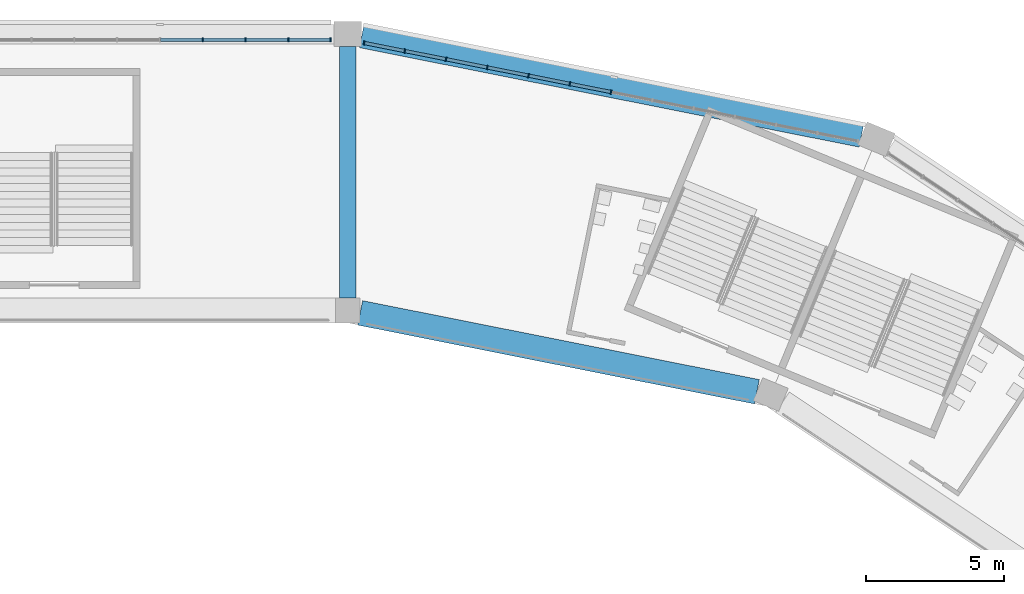
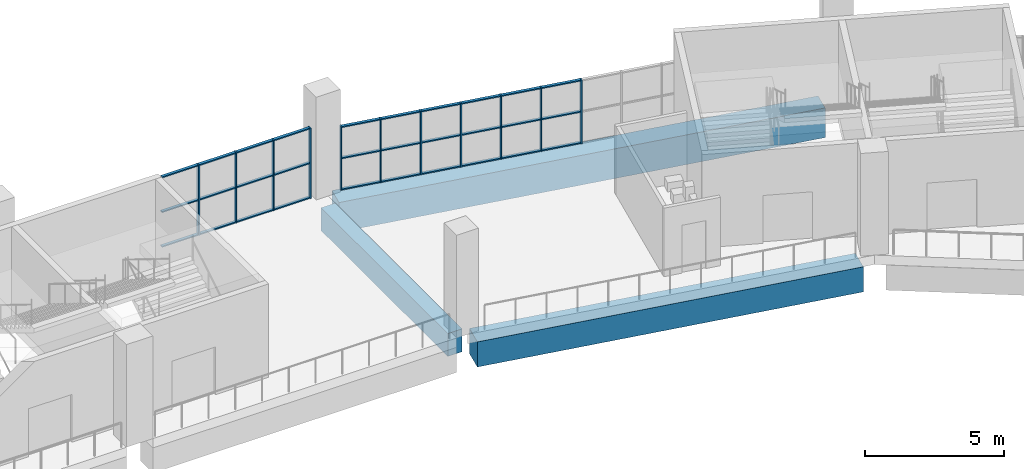
# One storey, part 35 of 177: 41 members, 3 beams, 2 elements without a shape of their own.
"""IFC4 building model written with IfcOpenShell, lengths in metres."""

from ifc_helpers import new_model, si_unit, direction, frame, origin, origin_2d, place, context, subcontext, project, spatial, rectangle, extrude, material, material_profile, profile_set, type_object, element, aggregate, save


model = new_model("IFC4")

# Units and contexts
model_context = context("Model", 3, precision=1e-05, world=origin(), true_north=direction((0.0, 1.0)))
body_context = subcontext(model_context, "Body", "Model", "MODEL_VIEW")
ifc_project = project(units=[si_unit("LENGTHUNIT", "METRE"), si_unit("AREAUNIT", "SQUARE_METRE"), si_unit("VOLUMEUNIT", "CUBIC_METRE"), si_unit("PLANEANGLEUNIT", "RADIAN"), si_unit("MASSUNIT", "GRAM", prefix="KILO")], contexts=[model_context])

# Site, building, storey
site_placement = place(None, origin())
site = spatial("IfcSite", under=ifc_project, at=site_placement, CompositionType="ELEMENT")
building_placement = place(site_placement, origin())
building = spatial("IfcBuilding", under=site, at=building_placement, Name="Ogive Plaza Stadium", CompositionType="ELEMENT")
storey_placement = place(building_placement, frame((0.0, 0.0, 18.0)))
storey = spatial("IfcBuildingStorey", under=building, at=storey_placement, Name="L04", CompositionType="ELEMENT", Elevation=18.0)

# Curtain wall, members
ifc_material_1 = material(Name="Bronze-anodised aluminium with laminated glass", Category="aluminium")
curtain_wall_type = type_object("IfcCurtainWallType", Name="Lancet curtain wall", PredefinedType="NOTDEFINED", material=ifc_material_1)
curtain_wall_1_placement = place(storey_placement, origin())
curtain_wall_1 = element("IfcCurtainWall", 1, at=curtain_wall_1_placement, inside=storey, type_object=curtain_wall_type, Name="CURTAIN WALL B36 L04", PredefinedType="NOTDEFINED")
ifc_material_2 = material(Name="Bronze-anodised aluminium", Category="aluminium")
ifc_material_profile_1 = material_profile(ifc_material_2, rectangle(XDim=0.14990234375, YDim=0.050048828125, at=origin_2d()), Name="AL 150x50")
ifc_profile_set_1 = profile_set([ifc_material_profile_1], Name="Bronze-anodised aluminium")
member_type_1 = type_object("IfcMemberType", Name="Curtain wall mullion 50x150", PredefinedType="MULLION", material=ifc_profile_set_1)
member_1_placement = place(storey_placement, frame((28.75, 102.300048828125, 0.0), z_axis=(0.0, 0.0, 1.0), x_axis=(0.0, 1.0, 0.0)))
member_1 = element("IfcMember", 2, at=member_1_placement, type_object=member_type_1, Name="CW-B36-L04 mullion 6", PredefinedType="MULLION", context=body_context, shape_type="SweptSolid", body=[
    extrude(rectangle(XDim=0.14990234375, YDim=0.050048828125, at=origin_2d()), origin(), (0.0, 0.0, 1.0), 3.090087890625),
])
member_2_placement = place(storey_placement, frame((30.300048828125, 102.300048828125, 0.0), z_axis=(0.0, 0.0, 1.0), x_axis=(0.0, 1.0, 0.0)))
member_2 = element("IfcMember", 3, at=member_2_placement, type_object=member_type_1, Name="CW-B36-L04 mullion 7", PredefinedType="MULLION", context=body_context, shape_type="SweptSolid", body=[
    extrude(rectangle(XDim=0.14990234375, YDim=0.050048828125, at=origin_2d()), origin(), (0.0, 0.0, 1.0), 3.090087890625),
])
member_3_placement = place(storey_placement, frame((31.85009765625, 102.300048828125, 0.0), z_axis=(0.0, 0.0, 1.0), x_axis=(0.0, 1.0, 0.0)))
member_3 = element("IfcMember", 4, at=member_3_placement, type_object=member_type_1, Name="CW-B36-L04 mullion 8", PredefinedType="MULLION", context=body_context, shape_type="SweptSolid", body=[
    extrude(rectangle(XDim=0.14990234375, YDim=0.050048828125, at=origin_2d()), origin(), (0.0, 0.0, 1.0), 3.090087890625),
])
member_4_placement = place(storey_placement, frame((33.375, 102.300048828125, 0.0), z_axis=(0.0, 0.0, 1.0), x_axis=(0.0, 1.0, 0.0)))
member_4 = element("IfcMember", 5, at=member_4_placement, type_object=member_type_1, Name="CW-B36-L04 mullion 9", PredefinedType="MULLION", context=body_context, shape_type="SweptSolid", body=[
    extrude(rectangle(XDim=0.14990234375, YDim=0.050048828125, at=origin_2d()), origin(), (0.0, 0.0, 1.0), 3.090087890625),
])

curtain_wall_2_placement = place(storey_placement, origin())
curtain_wall_2 = element("IfcCurtainWall", 6, at=curtain_wall_2_placement, inside=storey, type_object=curtain_wall_type, Name="CURTAIN WALL B37 L04", PredefinedType="NOTDEFINED")
member_5_placement = place(storey_placement, frame((34.593994140625, 102.177978515625, 0.0), z_axis=(0.0, 0.0, 1.0), x_axis=(0.195090322033, 0.9807852804, 0.0)))
member_5 = element("IfcMember", 7, at=member_5_placement, type_object=member_type_1, Name="CW-B37-L04 mullion 1", PredefinedType="MULLION", context=body_context, shape_type="SweptSolid", body=[
    extrude(rectangle(XDim=0.14990234375, YDim=0.050048828125, at=origin_2d()), origin(), (0.0, 0.0, 1.0), 2.7900390625),
])
member_6_placement = place(storey_placement, frame((36.0625, 101.8857421875, 0.0), z_axis=(0.0, 0.0, 1.0), x_axis=(0.195090322033, 0.9807852804, 0.0)))
member_6 = element("IfcMember", 8, at=member_6_placement, type_object=member_type_1, Name="CW-B37-L04 mullion 2", PredefinedType="MULLION", context=body_context, shape_type="SweptSolid", body=[
    extrude(rectangle(XDim=0.14990234375, YDim=0.050048828125, at=origin_2d()), origin(), (0.0, 0.0, 1.0), 2.7900390625),
])
member_7_placement = place(storey_placement, frame((37.5556640625, 101.5888671875, 0.0), z_axis=(0.0, 0.0, 1.0), x_axis=(0.195090322033, 0.9807852804, 0.0)))
member_7 = element("IfcMember", 9, at=member_7_placement, type_object=member_type_1, Name="CW-B37-L04 mullion 3", PredefinedType="MULLION", context=body_context, shape_type="SweptSolid", body=[
    extrude(rectangle(XDim=0.14990234375, YDim=0.050048828125, at=origin_2d()), origin(), (0.0, 0.0, 1.0), 2.7900390625),
])
member_8_placement = place(storey_placement, frame((39.048828125, 101.291748046875, 0.0), z_axis=(0.0, 0.0, 1.0), x_axis=(0.195090322033, 0.9807852804, 0.0)))
member_8 = element("IfcMember", 10, at=member_8_placement, type_object=member_type_1, Name="CW-B37-L04 mullion 4", PredefinedType="MULLION", context=body_context, shape_type="SweptSolid", body=[
    extrude(rectangle(XDim=0.14990234375, YDim=0.050048828125, at=origin_2d()), origin(), (0.0, 0.0, 1.0), 2.7900390625),
])
member_9_placement = place(storey_placement, frame((40.5419921875, 100.994873046875, 0.0), z_axis=(0.0, 0.0, 1.0), x_axis=(0.195090322033, 0.9807852804, 0.0)))
member_9 = element("IfcMember", 11, at=member_9_placement, type_object=member_type_1, Name="CW-B37-L04 mullion 5", PredefinedType="MULLION", context=body_context, shape_type="SweptSolid", body=[
    extrude(rectangle(XDim=0.14990234375, YDim=0.050048828125, at=origin_2d()), origin(), (0.0, 0.0, 1.0), 2.7900390625),
])
member_10_placement = place(storey_placement, frame((42.034912109375, 100.69775390625, 0.0), z_axis=(0.0, 0.0, 1.0), x_axis=(0.195090322033, 0.9807852804, 0.0)))
member_10 = element("IfcMember", 12, at=member_10_placement, type_object=member_type_1, Name="CW-B37-L04 mullion 6", PredefinedType="MULLION", context=body_context, shape_type="SweptSolid", body=[
    extrude(rectangle(XDim=0.14990234375, YDim=0.050048828125, at=origin_2d()), origin(), (0.0, 0.0, 1.0), 2.7900390625),
])
member_11_placement = place(storey_placement, frame((43.528076171875, 100.40087890625, 0.0), z_axis=(0.0, 0.0, 1.0), x_axis=(0.195090322033, 0.9807852804, 0.0)))
member_11 = element("IfcMember", 13, at=member_11_placement, type_object=member_type_1, Name="CW-B37-L04 mullion 7", PredefinedType="MULLION", context=body_context, shape_type="SweptSolid", body=[
    extrude(rectangle(XDim=0.14990234375, YDim=0.050048828125, at=origin_2d()), origin(), (0.0, 0.0, 1.0), 2.7900390625),
])

# Member
ifc_material_3 = material(Name="Bronze-anodised aluminium", Category="aluminium")
ifc_material_profile_2 = material_profile(ifc_material_3, rectangle(XDim=0.1201171875, YDim=0.050048828125, at=origin_2d()), Name="AL 120x50")
ifc_profile_set_2 = profile_set([ifc_material_profile_2], Name="Bronze-anodised aluminium")
member_type_2 = type_object("IfcMemberType", Name="Curtain wall transom 50x120", PredefinedType="USERDEFINED", material=ifc_profile_set_2)
member_12_placement = place(storey_placement, frame((27.22509765625, 102.300048828125, 0.02490234375), z_axis=(1.0, 0.0, 0.0), x_axis=(0.0, 1.0, 0.0)))
member_12 = element("IfcMember", 14, at=member_12_placement, type_object=member_type_2, Name="CW-B36-L04 transom 5.1", ObjectType="TRANSOM", PredefinedType="USERDEFINED", context=body_context, shape_type="SweptSolid", body=[
    extrude(rectangle(XDim=0.1201171875, YDim=0.050048828125, at=origin_2d()), origin(), (0.0, 0.0, 1.0), 1.5),
])

member_13_placement = place(storey_placement, frame((27.22509765625, 102.300048828125, 1.544921875), z_axis=(1.0, 0.0, 0.0), x_axis=(0.0, 1.0, 0.0)))
member_13 = element("IfcMember", 15, at=member_13_placement, type_object=member_type_2, Name="CW-B36-L04 transom 5.2", ObjectType="TRANSOM", PredefinedType="USERDEFINED", context=body_context, shape_type="SweptSolid", body=[
    extrude(rectangle(XDim=0.1201171875, YDim=0.050048828125, at=origin_2d()), origin(), (0.0, 0.0, 1.0), 1.5),
])

member_14_placement = place(storey_placement, frame((27.22509765625, 102.300048828125, 3.06494140625), z_axis=(1.0, 0.0, 0.0), x_axis=(0.0, 1.0, 0.0)))
member_14 = element("IfcMember", 16, at=member_14_placement, type_object=member_type_2, Name="CW-B36-L04 transom 5.3", ObjectType="TRANSOM", PredefinedType="USERDEFINED", context=body_context, shape_type="SweptSolid", body=[
    extrude(rectangle(XDim=0.1201171875, YDim=0.050048828125, at=origin_2d()), origin(), (0.0, 0.0, 1.0), 1.5),
])

member_15_placement = place(storey_placement, frame((28.77490234375, 102.300048828125, 0.02490234375), z_axis=(1.0, 0.0, 0.0), x_axis=(0.0, 1.0, 0.0)))
member_15 = element("IfcMember", 17, at=member_15_placement, type_object=member_type_2, Name="CW-B36-L04 transom 6.1", ObjectType="TRANSOM", PredefinedType="USERDEFINED", context=body_context, shape_type="SweptSolid", body=[
    extrude(rectangle(XDim=0.1201171875, YDim=0.050048828125, at=origin_2d()), origin(), (0.0, 0.0, 1.0), 1.5),
])

member_16_placement = place(storey_placement, frame((28.77490234375, 102.300048828125, 1.544921875), z_axis=(1.0, 0.0, 0.0), x_axis=(0.0, 1.0, 0.0)))
member_16 = element("IfcMember", 18, at=member_16_placement, type_object=member_type_2, Name="CW-B36-L04 transom 6.2", ObjectType="TRANSOM", PredefinedType="USERDEFINED", context=body_context, shape_type="SweptSolid", body=[
    extrude(rectangle(XDim=0.1201171875, YDim=0.050048828125, at=origin_2d()), origin(), (0.0, 0.0, 1.0), 1.5),
])

member_17_placement = place(storey_placement, frame((28.77490234375, 102.300048828125, 3.06494140625), z_axis=(1.0, 0.0, 0.0), x_axis=(0.0, 1.0, 0.0)))
member_17 = element("IfcMember", 19, at=member_17_placement, type_object=member_type_2, Name="CW-B36-L04 transom 6.3", ObjectType="TRANSOM", PredefinedType="USERDEFINED", context=body_context, shape_type="SweptSolid", body=[
    extrude(rectangle(XDim=0.1201171875, YDim=0.050048828125, at=origin_2d()), origin(), (0.0, 0.0, 1.0), 1.5),
])

member_18_placement = place(storey_placement, frame((30.324951171875, 102.300048828125, 0.02490234375), z_axis=(1.0, 0.0, 0.0), x_axis=(0.0, 1.0, 0.0)))
member_18 = element("IfcMember", 20, at=member_18_placement, type_object=member_type_2, Name="CW-B36-L04 transom 7.1", ObjectType="TRANSOM", PredefinedType="USERDEFINED", context=body_context, shape_type="SweptSolid", body=[
    extrude(rectangle(XDim=0.1201171875, YDim=0.050048828125, at=origin_2d()), origin(), (0.0, 0.0, 1.0), 1.5),
])

member_19_placement = place(storey_placement, frame((30.324951171875, 102.300048828125, 1.544921875), z_axis=(1.0, 0.0, 0.0), x_axis=(0.0, 1.0, 0.0)))
member_19 = element("IfcMember", 21, at=member_19_placement, type_object=member_type_2, Name="CW-B36-L04 transom 7.2", ObjectType="TRANSOM", PredefinedType="USERDEFINED", context=body_context, shape_type="SweptSolid", body=[
    extrude(rectangle(XDim=0.1201171875, YDim=0.050048828125, at=origin_2d()), origin(), (0.0, 0.0, 1.0), 1.5),
])

member_20_placement = place(storey_placement, frame((30.324951171875, 102.300048828125, 3.06494140625), z_axis=(1.0, 0.0, 0.0), x_axis=(0.0, 1.0, 0.0)))
member_20 = element("IfcMember", 22, at=member_20_placement, type_object=member_type_2, Name="CW-B36-L04 transom 7.3", ObjectType="TRANSOM", PredefinedType="USERDEFINED", context=body_context, shape_type="SweptSolid", body=[
    extrude(rectangle(XDim=0.1201171875, YDim=0.050048828125, at=origin_2d()), origin(), (0.0, 0.0, 1.0), 1.5),
])

member_21_placement = place(storey_placement, frame((31.875, 102.300048828125, 0.02490234375), z_axis=(1.0, 0.0, 0.0), x_axis=(0.0, 1.0, 0.0)))
member_21 = element("IfcMember", 23, at=member_21_placement, type_object=member_type_2, Name="CW-B36-L04 transom 8.1", ObjectType="TRANSOM", PredefinedType="USERDEFINED", context=body_context, shape_type="SweptSolid", body=[
    extrude(rectangle(XDim=0.1201171875, YDim=0.050048828125, at=origin_2d()), origin(), (0.0, 0.0, 1.0), 1.47509765625),
])

member_22_placement = place(storey_placement, frame((31.875, 102.300048828125, 1.544921875), z_axis=(1.0, 0.0, 0.0), x_axis=(0.0, 1.0, 0.0)))
member_22 = element("IfcMember", 24, at=member_22_placement, type_object=member_type_2, Name="CW-B36-L04 transom 8.2", ObjectType="TRANSOM", PredefinedType="USERDEFINED", context=body_context, shape_type="SweptSolid", body=[
    extrude(rectangle(XDim=0.1201171875, YDim=0.050048828125, at=origin_2d()), origin(), (0.0, 0.0, 1.0), 1.47509765625),
])

member_23_placement = place(storey_placement, frame((31.875, 102.300048828125, 3.06494140625), z_axis=(1.0, 0.0, 0.0), x_axis=(0.0, 1.0, 0.0)))
member_23 = element("IfcMember", 25, at=member_23_placement, type_object=member_type_2, Name="CW-B36-L04 transom 8.3", ObjectType="TRANSOM", PredefinedType="USERDEFINED", context=body_context, shape_type="SweptSolid", body=[
    extrude(rectangle(XDim=0.1201171875, YDim=0.050048828125, at=origin_2d()), origin(), (0.0, 0.0, 1.0), 1.47509765625),
])

aggregate(curtain_wall_1, [member_1, member_2, member_3, member_4, member_12, member_13, member_14, member_15, member_16, member_17, member_18, member_19, member_20, member_21, member_22, member_23])

member_24_placement = place(storey_placement, frame((34.61865234375, 102.173095703125, 0.02490234375), z_axis=(0.980768379534, -0.195175269199, 0.0), x_axis=(0.195175269199, 0.980768379534, 0.0)))
member_24 = element("IfcMember", 26, at=member_24_placement, type_object=member_type_2, Name="CW-B37-L04 transom 1.1", ObjectType="TRANSOM", PredefinedType="USERDEFINED", context=body_context, shape_type="SweptSolid", body=[
    extrude(rectangle(XDim=0.1201171875, YDim=0.050048828125, at=origin_2d()), origin(), (0.0, 0.0, 1.0), 1.447265625),
])

member_25_placement = place(storey_placement, frame((34.61865234375, 102.173095703125, 1.39501953125), z_axis=(0.980768379534, -0.195175269199, 0.0), x_axis=(0.195175269199, 0.980768379534, 0.0)))
member_25 = element("IfcMember", 27, at=member_25_placement, type_object=member_type_2, Name="CW-B37-L04 transom 1.2", ObjectType="TRANSOM", PredefinedType="USERDEFINED", context=body_context, shape_type="SweptSolid", body=[
    extrude(rectangle(XDim=0.1201171875, YDim=0.050048828125, at=origin_2d()), origin(), (0.0, 0.0, 1.0), 1.447265625),
])

member_26_placement = place(storey_placement, frame((34.61865234375, 102.173095703125, 2.764892578125), z_axis=(0.980768379534, -0.195175269199, 0.0), x_axis=(0.195175269199, 0.980768379534, 0.0)))
member_26 = element("IfcMember", 28, at=member_26_placement, type_object=member_type_2, Name="CW-B37-L04 transom 1.3", ObjectType="TRANSOM", PredefinedType="USERDEFINED", context=body_context, shape_type="SweptSolid", body=[
    extrude(rectangle(XDim=0.1201171875, YDim=0.050048828125, at=origin_2d()), origin(), (0.0, 0.0, 1.0), 1.447265625),
])

member_27_placement = place(storey_placement, frame((36.087158203125, 101.880859375, 0.02490234375), z_axis=(0.980803254763, -0.194999937042, 0.0), x_axis=(0.194999937042, 0.980803254763, 0.0)))
member_27 = element("IfcMember", 29, at=member_27_placement, type_object=member_type_2, Name="CW-B37-L04 transom 2.1", ObjectType="TRANSOM", PredefinedType="USERDEFINED", context=body_context, shape_type="SweptSolid", body=[
    extrude(rectangle(XDim=0.1201171875, YDim=0.050048828125, at=origin_2d()), origin(), (0.0, 0.0, 1.0), 1.472412109375),
])

member_28_placement = place(storey_placement, frame((36.087158203125, 101.880859375, 1.39501953125), z_axis=(0.980803254763, -0.194999937042, 0.0), x_axis=(0.194999937042, 0.980803254763, 0.0)))
member_28 = element("IfcMember", 30, at=member_28_placement, type_object=member_type_2, Name="CW-B37-L04 transom 2.2", ObjectType="TRANSOM", PredefinedType="USERDEFINED", context=body_context, shape_type="SweptSolid", body=[
    extrude(rectangle(XDim=0.1201171875, YDim=0.050048828125, at=origin_2d()), origin(), (0.0, 0.0, 1.0), 1.472412109375),
])

member_29_placement = place(storey_placement, frame((36.087158203125, 101.880859375, 2.764892578125), z_axis=(0.980803254763, -0.194999937042, 0.0), x_axis=(0.194999937042, 0.980803254763, 0.0)))
member_29 = element("IfcMember", 31, at=member_29_placement, type_object=member_type_2, Name="CW-B37-L04 transom 2.3", ObjectType="TRANSOM", PredefinedType="USERDEFINED", context=body_context, shape_type="SweptSolid", body=[
    extrude(rectangle(XDim=0.1201171875, YDim=0.050048828125, at=origin_2d()), origin(), (0.0, 0.0, 1.0), 1.472412109375),
])

member_30_placement = place(storey_placement, frame((37.580322265625, 101.583984375, 0.02490234375), z_axis=(0.980765212551, -0.195191182816, 0.0), x_axis=(0.195191182816, 0.980765212551, 0.0)))
member_30 = element("IfcMember", 32, at=member_30_placement, type_object=member_type_2, Name="CW-B37-L04 transom 3.1", ObjectType="TRANSOM", PredefinedType="USERDEFINED", context=body_context, shape_type="SweptSolid", body=[
    extrude(rectangle(XDim=0.1201171875, YDim=0.050048828125, at=origin_2d()), origin(), (0.0, 0.0, 1.0), 1.47216796875),
])

member_31_placement = place(storey_placement, frame((37.580322265625, 101.583984375, 1.39501953125), z_axis=(0.980765212551, -0.195191182816, 0.0), x_axis=(0.195191182816, 0.980765212551, 0.0)))
member_31 = element("IfcMember", 33, at=member_31_placement, type_object=member_type_2, Name="CW-B37-L04 transom 3.2", ObjectType="TRANSOM", PredefinedType="USERDEFINED", context=body_context, shape_type="SweptSolid", body=[
    extrude(rectangle(XDim=0.1201171875, YDim=0.050048828125, at=origin_2d()), origin(), (0.0, 0.0, 1.0), 1.47216796875),
])

member_32_placement = place(storey_placement, frame((37.580322265625, 101.583984375, 2.764892578125), z_axis=(0.980765212551, -0.195191182816, 0.0), x_axis=(0.195191182816, 0.980765212551, 0.0)))
member_32 = element("IfcMember", 34, at=member_32_placement, type_object=member_type_2, Name="CW-B37-L04 transom 3.3", ObjectType="TRANSOM", PredefinedType="USERDEFINED", context=body_context, shape_type="SweptSolid", body=[
    extrude(rectangle(XDim=0.1201171875, YDim=0.050048828125, at=origin_2d()), origin(), (0.0, 0.0, 1.0), 1.47216796875),
])

member_33_placement = place(storey_placement, frame((39.0732421875, 101.286865234375, 0.02490234375), z_axis=(0.980803254763, -0.194999937042, 0.0), x_axis=(0.194999937042, 0.980803254763, 0.0)))
member_33 = element("IfcMember", 35, at=member_33_placement, type_object=member_type_2, Name="CW-B37-L04 transom 4.1", ObjectType="TRANSOM", PredefinedType="USERDEFINED", context=body_context, shape_type="SweptSolid", body=[
    extrude(rectangle(XDim=0.1201171875, YDim=0.050048828125, at=origin_2d()), origin(), (0.0, 0.0, 1.0), 1.472412109375),
])

member_34_placement = place(storey_placement, frame((39.0732421875, 101.286865234375, 1.39501953125), z_axis=(0.980803254763, -0.194999937042, 0.0), x_axis=(0.194999937042, 0.980803254763, 0.0)))
member_34 = element("IfcMember", 36, at=member_34_placement, type_object=member_type_2, Name="CW-B37-L04 transom 4.2", ObjectType="TRANSOM", PredefinedType="USERDEFINED", context=body_context, shape_type="SweptSolid", body=[
    extrude(rectangle(XDim=0.1201171875, YDim=0.050048828125, at=origin_2d()), origin(), (0.0, 0.0, 1.0), 1.472412109375),
])

member_35_placement = place(storey_placement, frame((39.0732421875, 101.286865234375, 2.764892578125), z_axis=(0.980803254763, -0.194999937042, 0.0), x_axis=(0.194999937042, 0.980803254763, 0.0)))
member_35 = element("IfcMember", 37, at=member_35_placement, type_object=member_type_2, Name="CW-B37-L04 transom 4.3", ObjectType="TRANSOM", PredefinedType="USERDEFINED", context=body_context, shape_type="SweptSolid", body=[
    extrude(rectangle(XDim=0.1201171875, YDim=0.050048828125, at=origin_2d()), origin(), (0.0, 0.0, 1.0), 1.472412109375),
])

member_36_placement = place(storey_placement, frame((40.56640625, 100.989990234375, 0.02490234375), z_axis=(0.980771529367, -0.195159440417, 0.0), x_axis=(0.195159440417, 0.980771529367, 0.0)))
member_36 = element("IfcMember", 38, at=member_36_placement, type_object=member_type_2, Name="CW-B37-L04 transom 5.1", ObjectType="TRANSOM", PredefinedType="USERDEFINED", context=body_context, shape_type="SweptSolid", body=[
    extrude(rectangle(XDim=0.1201171875, YDim=0.050048828125, at=origin_2d()), origin(), (0.0, 0.0, 1.0), 1.472412109375),
])

member_37_placement = place(storey_placement, frame((40.56640625, 100.989990234375, 1.39501953125), z_axis=(0.980771529367, -0.195159440417, 0.0), x_axis=(0.195159440417, 0.980771529367, 0.0)))
member_37 = element("IfcMember", 39, at=member_37_placement, type_object=member_type_2, Name="CW-B37-L04 transom 5.2", ObjectType="TRANSOM", PredefinedType="USERDEFINED", context=body_context, shape_type="SweptSolid", body=[
    extrude(rectangle(XDim=0.1201171875, YDim=0.050048828125, at=origin_2d()), origin(), (0.0, 0.0, 1.0), 1.472412109375),
])

member_38_placement = place(storey_placement, frame((40.56640625, 100.989990234375, 2.764892578125), z_axis=(0.980771529367, -0.195159440417, 0.0), x_axis=(0.195159440417, 0.980771529367, 0.0)))
member_38 = element("IfcMember", 40, at=member_38_placement, type_object=member_type_2, Name="CW-B37-L04 transom 5.3", ObjectType="TRANSOM", PredefinedType="USERDEFINED", context=body_context, shape_type="SweptSolid", body=[
    extrude(rectangle(XDim=0.1201171875, YDim=0.050048828125, at=origin_2d()), origin(), (0.0, 0.0, 1.0), 1.472412109375),
])

member_39_placement = place(storey_placement, frame((42.0595703125, 100.69287109375, 0.02490234375), z_axis=(0.980803254763, -0.194999937042, 0.0), x_axis=(0.194999937042, 0.980803254763, 0.0)))
member_39 = element("IfcMember", 41, at=member_39_placement, type_object=member_type_2, Name="CW-B37-L04 transom 6.1", ObjectType="TRANSOM", PredefinedType="USERDEFINED", context=body_context, shape_type="SweptSolid", body=[
    extrude(rectangle(XDim=0.1201171875, YDim=0.050048828125, at=origin_2d()), origin(), (0.0, 0.0, 1.0), 1.472412109375),
])

member_40_placement = place(storey_placement, frame((42.0595703125, 100.69287109375, 1.39501953125), z_axis=(0.980803254763, -0.194999937042, 0.0), x_axis=(0.194999937042, 0.980803254763, 0.0)))
member_40 = element("IfcMember", 42, at=member_40_placement, type_object=member_type_2, Name="CW-B37-L04 transom 6.2", ObjectType="TRANSOM", PredefinedType="USERDEFINED", context=body_context, shape_type="SweptSolid", body=[
    extrude(rectangle(XDim=0.1201171875, YDim=0.050048828125, at=origin_2d()), origin(), (0.0, 0.0, 1.0), 1.472412109375),
])

member_41_placement = place(storey_placement, frame((42.0595703125, 100.69287109375, 2.764892578125), z_axis=(0.980803254763, -0.194999937042, 0.0), x_axis=(0.194999937042, 0.980803254763, 0.0)))
member_41 = element("IfcMember", 43, at=member_41_placement, type_object=member_type_2, Name="CW-B37-L04 transom 6.3", ObjectType="TRANSOM", PredefinedType="USERDEFINED", context=body_context, shape_type="SweptSolid", body=[
    extrude(rectangle(XDim=0.1201171875, YDim=0.050048828125, at=origin_2d()), origin(), (0.0, 0.0, 1.0), 1.472412109375),
])

aggregate(curtain_wall_2, [member_5, member_6, member_7, member_8, member_9, member_10, member_11, member_24, member_25, member_26, member_27, member_28, member_29, member_30, member_31, member_32, member_33, member_34, member_35, member_36, member_37, member_38, member_39, member_40, member_41])

# Beams
ifc_material_4 = material(Name="Concrete C40/50", Category="concrete")
ifc_material_profile_3 = material_profile(ifc_material_4, rectangle(XDim=0.60009765625, YDim=1.0, at=origin_2d()), Name="RC 600x1000")
ifc_profile_set_3 = profile_set([ifc_material_profile_3], Name="Concrete C40/50")
beam_type_1 = type_object("IfcBeamType", Name="RC radial beam 600x1000", PredefinedType="BEAM", material=ifc_profile_set_3)
beam_1_placement = place(storey_placement, frame((34.0, 92.949951171875, -0.909912109375), z_axis=(0.0, 1.0, 0.0), x_axis=(-1.0, 0.0, 0.0)))
element("IfcBeam", 44, at=beam_1_placement, inside=storey, type_object=beam_type_1, Name="Radial beam L04 R37 F4F5", PredefinedType="BEAM", context=body_context, shape_type="SweptSolid", body=[
    extrude(rectangle(XDim=0.60009765625, YDim=1.0, at=origin_2d()), origin(), (0.0, 0.0, 1.0), 9.10009765625),
])
ifc_material_5 = material(Name="Concrete C40/50", Category="concrete")
ifc_material_profile_4 = material_profile(ifc_material_5, rectangle(XDim=0.89990234375, YDim=1.10009765625, at=origin_2d()), Name="RC 900x1100")
ifc_profile_set_4 = profile_set([ifc_material_profile_4], Name="Concrete C40/50")
beam_type_2 = type_object("IfcBeamType", Name="RC ring beam 900x1100", PredefinedType="BEAM", material=ifc_profile_set_4)
beam_2_placement = place(storey_placement, frame((34.449951171875, 92.410400390625, -0.9599609375), z_axis=(0.980787317906, -0.195080078519, 0.0), x_axis=(0.195080078519, 0.980787317906, 0.0)))
element("IfcBeam", 45, at=beam_2_placement, inside=storey, type_object=beam_type_2, Name="Ring beam F4 L04 B37", PredefinedType="BEAM", context=body_context, shape_type="SweptSolid", body=[
    extrude(rectangle(XDim=0.89990234375, YDim=1.10009765625, at=origin_2d()), origin(), (0.0, 0.0, 1.0), 14.638671875),
])
ifc_material_6 = material(Name="Concrete C40/50", Category="concrete")
ifc_material_profile_5 = material_profile(ifc_material_6, rectangle(XDim=0.800048828125, YDim=1.300048828125, at=origin_2d()), Name="RC 800x1300")
ifc_profile_set_5 = profile_set([ifc_material_profile_5], Name="Concrete C40/50")
beam_type_3 = type_object("IfcBeamType", Name="RC spandrel beam 800x1300", PredefinedType="SPANDREL", material=ifc_profile_set_5)
beam_3_placement = place(storey_placement, frame((34.5, 102.400634765625, -1.06005859375), z_axis=(0.980785371075, -0.195089866178, 0.0), x_axis=(0.195089866178, 0.980785371075, 0.0)))
element("IfcBeam", 46, at=beam_3_placement, inside=storey, type_object=beam_type_3, Name="Ring beam F5 L04 B37", PredefinedType="SPANDREL", context=body_context, shape_type="SweptSolid", body=[
    extrude(rectangle(XDim=0.800048828125, YDim=1.300048828125, at=origin_2d()), origin(), (0.0, 0.0, 1.0), 18.4384765625),
])

save(model, "model.ifc")
